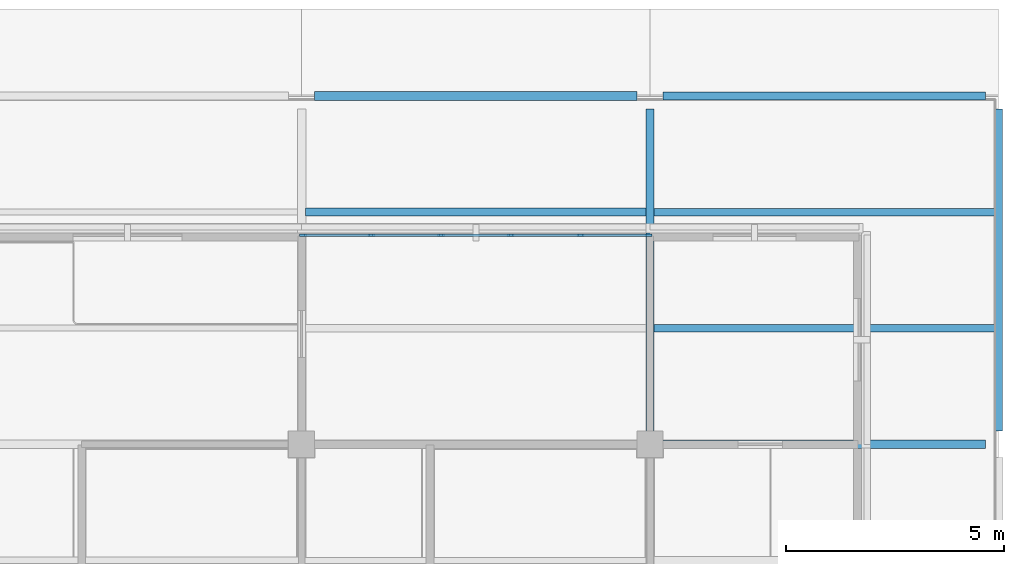
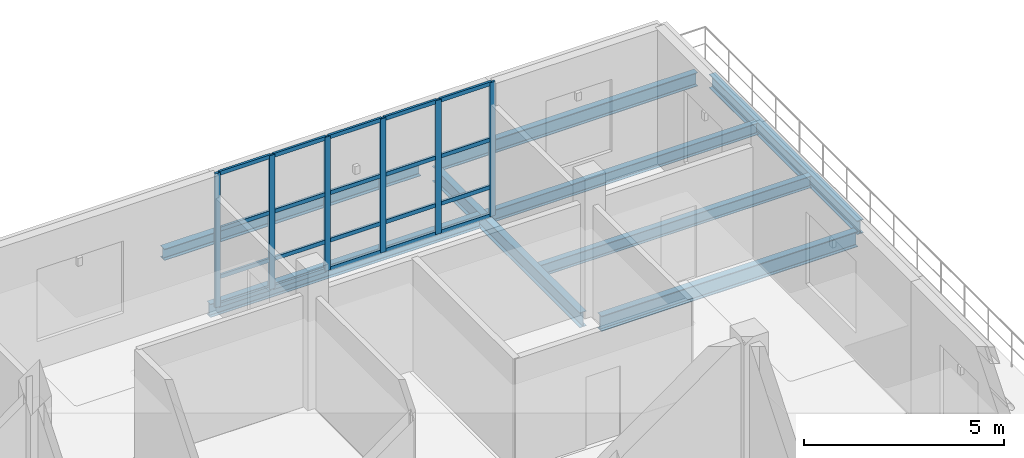
# One storey, part 11 of 24: 26 members, 8 beams, 1 element without a shape of its own.
"""IFC4 building model written with IfcOpenShell, lengths in metres."""

from ifc_helpers import new_model, si_unit, derived_unit, direction, frame, origin, origin_2d, place, context, subcontext, project, spatial, rectangle, i_section, extrude, material, layer, layer_set, material_profile, profile_set, type_object, element, aggregate, save


model = new_model("IFC4")

# Units and contexts
model_context = context("Model", 3, precision=1e-05, world=origin(), true_north=direction((0.0, 1.0)))
body_context = subcontext(model_context, "Body", "Model", "MODEL_VIEW")
ifc_project = project(units=[si_unit("LENGTHUNIT", "METRE"), si_unit("AREAUNIT", "SQUARE_METRE"), si_unit("VOLUMEUNIT", "CUBIC_METRE"), si_unit("PLANEANGLEUNIT", "RADIAN"), si_unit("MASSUNIT", "GRAM", prefix="KILO"), derived_unit("THERMALTRANSMITTANCEUNIT", [(si_unit("MASSUNIT", "GRAM", prefix="KILO"), 1), (si_unit("TIMEUNIT", "SECOND"), -3), (si_unit("THERMODYNAMICTEMPERATUREUNIT", "KELVIN"), -1)])], contexts=[model_context])

# Site, building, storey
site_placement = place(None, origin())
site = spatial("IfcSite", under=ifc_project, at=site_placement, CompositionType="ELEMENT")
building_placement = place(site_placement, origin())
building = spatial("IfcBuilding", under=site, at=building_placement, Name="Veyamyaing Civic Hall", CompositionType="ELEMENT")
storey_placement = place(building_placement, frame((0.0, 0.0, 25.739990234375)))
storey = spatial("IfcBuildingStorey", under=building, at=storey_placement, Name="L06", CompositionType="ELEMENT", Elevation=25.739990234375)

# Beams
ifc_material_1 = material(Name="Steel ASTM A992", Category="steel")
ifc_material_profile_1 = material_profile(ifc_material_1, i_section(OverallWidth=0.18994140625, OverallDepth=0.45703125, WebThickness=0.009033203125, FlangeThickness=0.014404296875, FilletRadius=0.010009765625, at=origin_2d()), Name="W460X74")
ifc_profile_set_1 = profile_set([ifc_material_profile_1], Name="Steel ASTM A992")
beam_type_1 = type_object("IfcBeamType", Name="B-09", PredefinedType="BEAM", material=ifc_profile_set_1)
beam_1_placement = place(storey_placement, frame((168.0, 104.300048828125, -0.45849609375), z_axis=(0.0, 1.0, 0.0), x_axis=(-1.0, 0.0, 0.0)))
element("IfcBeam", 1, at=beam_1_placement, inside=storey, type_object=beam_type_1, Name="Girder B-09 L06 Grid 22 P-Q", PredefinedType="BEAM", context=body_context, shape_type="SweptSolid", body=[
    extrude(i_section(OverallWidth=0.18994140625, OverallDepth=0.45703125, WebThickness=0.009033203125, FlangeThickness=0.014404296875, FilletRadius=0.010009765625, at=origin_2d()), origin(), (0.0, 0.0, 1.0), 7.39990234375),
])
ifc_material_profile_2 = material_profile(ifc_material_1, i_section(OverallWidth=0.2041015625, OverallDepth=0.35009765625, WebThickness=0.0078125, FlangeThickness=0.01513671875, FilletRadius=0.010009765625, at=origin_2d()), Name="W360X72")
ifc_profile_set_2 = profile_set([ifc_material_profile_2], Name="Steel ASTM A992")
beam_type_2 = type_object("IfcBeamType", Name="B-11", PredefinedType="SPANDREL", material=ifc_profile_set_2)
beam_2_placement = place(storey_placement, frame((160.300048828125, 112.0, -0.405029296875), z_axis=(1.0, 0.0, 0.0), x_axis=(0.0, 1.0, 0.0)))
element("IfcBeam", 2, at=beam_2_placement, inside=storey, type_object=beam_type_2, Name="Girder B-11 L06 Grid Q 21-22", PredefinedType="SPANDREL", context=body_context, shape_type="SweptSolid", body=[
    extrude(i_section(OverallWidth=0.2041015625, OverallDepth=0.35009765625, WebThickness=0.0078125, FlangeThickness=0.01513671875, FilletRadius=0.010009765625, at=origin_2d()), origin(), (0.0, 0.0, 1.0), 7.39990234375),
])
ifc_material_profile_3 = material_profile(ifc_material_1, i_section(OverallWidth=0.194091796875, OverallDepth=0.468994140625, WebThickness=0.0126953125, FlangeThickness=0.0205078125, FilletRadius=0.010009765625, at=origin_2d()), Name="W460X106")
ifc_profile_set_3 = profile_set([ifc_material_profile_3], Name="Steel ASTM A992")
beam_type_3 = type_object("IfcBeamType", Name="B-18", PredefinedType="BEAM", material=ifc_profile_set_3)
beam_3_placement = place(storey_placement, frame((168.300048828125, 104.0, -0.464599609375), z_axis=(1.0, 0.0, 0.0), x_axis=(0.0, 1.0, 0.0)))
element("IfcBeam", 3, at=beam_3_placement, inside=storey, type_object=beam_type_3, Name="Girder B-18 L06 Grid P 22-23", PredefinedType="BEAM", context=body_context, shape_type="SweptSolid", body=[
    extrude(i_section(OverallWidth=0.194091796875, OverallDepth=0.468994140625, WebThickness=0.0126953125, FlangeThickness=0.0205078125, FilletRadius=0.010009765625, at=origin_2d()), origin(), (0.0, 0.0, 1.0), 7.39990234375),
])
ifc_material_profile_4 = material_profile(ifc_material_1, i_section(OverallWidth=0.180908203125, OverallDepth=0.4169921875, WebThickness=0.010986328125, FlangeThickness=0.018310546875, FilletRadius=0.010009765625, at=origin_2d()), Name="W410X85")
ifc_profile_set_4 = profile_set([ifc_material_profile_4], Name="Steel ASTM A992")
beam_type_4 = type_object("IfcBeamType", Name="B-19", PredefinedType="SPANDREL", material=ifc_profile_set_4)
for number, where, z_axis, x_axis, name in (
    (4, (168.300048828125, 112.0, -0.4384765625), (1.0, 0.0, 0.0), (0.0, 1.0, 0.0), "Girder B-19 L06 Grid Q 22-23"),
    (5, (176.0, 104.300048828125, -0.4384765625), (0.0, 1.0, 0.0), (-1.0, 0.0, 0.0), "Girder B-19 L06 Grid 23 P-Q"),
):
    element("IfcBeam", number, at=place(storey_placement, frame(where, z_axis=z_axis, x_axis=x_axis)), inside=storey, type_object=beam_type_4, Name=name, PredefinedType="SPANDREL", context=body_context, shape_type="SweptSolid", body=[
        extrude(i_section(OverallWidth=0.180908203125, OverallDepth=0.4169921875, WebThickness=0.010986328125, FlangeThickness=0.018310546875, FilletRadius=0.010009765625, at=origin_2d()), origin(), (0.0, 0.0, 1.0), 7.39990234375),
    ])

# Curtain wall, members
ifc_material_2 = material(Name="Anodised aluminium 6063-T6", Category="aluminium")
ifc_layer = layer(ifc_material_2, 0.159912109375, Name="Anodised aluminium 6063-T6")
ifc_layer_set = layer_set([ifc_layer], Name="Anodised aluminium 6063-T6")
curtain_wall_type = type_object("IfcCurtainWallType", Name="CW-05", PredefinedType="NOTDEFINED", material=ifc_layer_set)
curtain_wall_placement = place(storey_placement, origin())
curtain_wall = element("IfcCurtainWall", 6, at=curtain_wall_placement, inside=storey, type_object=curtain_wall_type, Name="Executive terrace curtain wall CW-05 L06-NE-N-4", PredefinedType="NOTDEFINED")
ifc_material_profile_5 = material_profile(ifc_material_2, rectangle(XDim=0.06494140625, YDim=0.159912109375, at=origin_2d()), Name="ALU-MUL-65X160")
ifc_profile_set_5 = profile_set([ifc_material_profile_5], Name="Anodised aluminium 6063-T6")
member_type_1 = type_object("IfcMemberType", Name="CWM-01", PredefinedType="MULLION", material=ifc_profile_set_5)
member_1_placement = place(storey_placement, frame((160.032470703125, 108.800048828125, 0.0), z_axis=(0.0, 0.0, 1.0), x_axis=(0.0, 1.0, 0.0)))
member_1 = element("IfcMember", 7, at=member_1_placement, type_object=member_type_1, Name="CW-05 mullion 1", PredefinedType="MULLION", context=body_context, shape_type="SweptSolid", body=[
    extrude(rectangle(XDim=0.06494140625, YDim=0.159912109375, at=origin_2d()), origin(), (0.0, 0.0, 1.0), 4.090087890625),
])
member_2_placement = place(storey_placement, frame((161.60009765625, 108.800048828125, 0.0), z_axis=(0.0, 0.0, 1.0), x_axis=(0.0, 1.0, 0.0)))
member_2 = element("IfcMember", 8, at=member_2_placement, type_object=member_type_1, Name="CW-05 mullion 2", PredefinedType="MULLION", context=body_context, shape_type="SweptSolid", body=[
    extrude(rectangle(XDim=0.06494140625, YDim=0.159912109375, at=origin_2d()), origin(), (0.0, 0.0, 1.0), 4.090087890625),
])
member_3_placement = place(storey_placement, frame((163.199951171875, 108.800048828125, 0.0), z_axis=(0.0, 0.0, 1.0), x_axis=(0.0, 1.0, 0.0)))
member_3 = element("IfcMember", 9, at=member_3_placement, type_object=member_type_1, Name="CW-05 mullion 3", PredefinedType="MULLION", context=body_context, shape_type="SweptSolid", body=[
    extrude(rectangle(XDim=0.06494140625, YDim=0.159912109375, at=origin_2d()), origin(), (0.0, 0.0, 1.0), 4.090087890625),
])
member_4_placement = place(storey_placement, frame((164.800048828125, 108.800048828125, 0.0), z_axis=(0.0, 0.0, 1.0), x_axis=(0.0, 1.0, 0.0)))
member_4 = element("IfcMember", 10, at=member_4_placement, type_object=member_type_1, Name="CW-05 mullion 4", PredefinedType="MULLION", context=body_context, shape_type="SweptSolid", body=[
    extrude(rectangle(XDim=0.06494140625, YDim=0.159912109375, at=origin_2d()), origin(), (0.0, 0.0, 1.0), 4.090087890625),
])
member_5_placement = place(storey_placement, frame((166.39990234375, 108.800048828125, 0.0), z_axis=(0.0, 0.0, 1.0), x_axis=(0.0, 1.0, 0.0)))
member_5 = element("IfcMember", 11, at=member_5_placement, type_object=member_type_1, Name="CW-05 mullion 5", PredefinedType="MULLION", context=body_context, shape_type="SweptSolid", body=[
    extrude(rectangle(XDim=0.06494140625, YDim=0.159912109375, at=origin_2d()), origin(), (0.0, 0.0, 1.0), 4.090087890625),
])
member_6_placement = place(storey_placement, frame((167.967529296875, 108.800048828125, 0.0), z_axis=(0.0, 0.0, 1.0), x_axis=(0.0, 1.0, 0.0)))
member_6 = element("IfcMember", 12, at=member_6_placement, type_object=member_type_1, Name="CW-05 mullion 6", PredefinedType="MULLION", context=body_context, shape_type="SweptSolid", body=[
    extrude(rectangle(XDim=0.06494140625, YDim=0.159912109375, at=origin_2d()), origin(), (0.0, 0.0, 1.0), 4.090087890625),
])
ifc_material_profile_6 = material_profile(ifc_material_2, rectangle(XDim=0.06494140625, YDim=0.1201171875, at=origin_2d()), Name="ALU-TRN-65X120")
ifc_profile_set_6 = profile_set([ifc_material_profile_6], Name="Anodised aluminium 6063-T6")
member_type_2 = type_object("IfcMemberType", Name="CWT-01", PredefinedType="USERDEFINED", material=ifc_profile_set_6)
member_7_placement = place(storey_placement, frame((160.06494140625, 108.800048828125, 0.032470703125), z_axis=(1.0, 0.0, 0.0), x_axis=(0.0, 1.0, 0.0)))
member_7 = element("IfcMember", 13, at=member_7_placement, type_object=member_type_2, Name="CW-05 transom 1.1", ObjectType="TRANSOM", PredefinedType="USERDEFINED", context=body_context, shape_type="SweptSolid", body=[
    extrude(rectangle(XDim=0.06494140625, YDim=0.1201171875, at=origin_2d()), origin(), (0.0, 0.0, 1.0), 1.50244140625),
])
member_8_placement = place(storey_placement, frame((160.06494140625, 108.800048828125, 0.89990234375), z_axis=(1.0, 0.0, 0.0), x_axis=(0.0, 1.0, 0.0)))
member_8 = element("IfcMember", 14, at=member_8_placement, type_object=member_type_2, Name="CW-05 transom 1.2", ObjectType="TRANSOM", PredefinedType="USERDEFINED", context=body_context, shape_type="SweptSolid", body=[
    extrude(rectangle(XDim=0.06494140625, YDim=0.1201171875, at=origin_2d()), origin(), (0.0, 0.0, 1.0), 1.50244140625),
])
member_9_placement = place(storey_placement, frame((160.06494140625, 108.800048828125, 2.35009765625), z_axis=(1.0, 0.0, 0.0), x_axis=(0.0, 1.0, 0.0)))
member_9 = element("IfcMember", 15, at=member_9_placement, type_object=member_type_2, Name="CW-05 transom 1.3", ObjectType="TRANSOM", PredefinedType="USERDEFINED", context=body_context, shape_type="SweptSolid", body=[
    extrude(rectangle(XDim=0.06494140625, YDim=0.1201171875, at=origin_2d()), origin(), (0.0, 0.0, 1.0), 1.50244140625),
])
member_10_placement = place(storey_placement, frame((160.06494140625, 108.800048828125, 4.0576171875), z_axis=(1.0, 0.0, 0.0), x_axis=(0.0, 1.0, 0.0)))
member_10 = element("IfcMember", 16, at=member_10_placement, type_object=member_type_2, Name="CW-05 transom 1.4", ObjectType="TRANSOM", PredefinedType="USERDEFINED", context=body_context, shape_type="SweptSolid", body=[
    extrude(rectangle(XDim=0.06494140625, YDim=0.1201171875, at=origin_2d()), origin(), (0.0, 0.0, 1.0), 1.50244140625),
])
member_11_placement = place(storey_placement, frame((161.632568359375, 108.800048828125, 0.032470703125), z_axis=(1.0, 0.0, 0.0), x_axis=(0.0, 1.0, 0.0)))
member_11 = element("IfcMember", 17, at=member_11_placement, type_object=member_type_2, Name="CW-05 transom 2.1", ObjectType="TRANSOM", PredefinedType="USERDEFINED", context=body_context, shape_type="SweptSolid", body=[
    extrude(rectangle(XDim=0.06494140625, YDim=0.1201171875, at=origin_2d()), origin(), (0.0, 0.0, 1.0), 1.534912109375),
])
member_12_placement = place(storey_placement, frame((161.632568359375, 108.800048828125, 0.89990234375), z_axis=(1.0, 0.0, 0.0), x_axis=(0.0, 1.0, 0.0)))
member_12 = element("IfcMember", 18, at=member_12_placement, type_object=member_type_2, Name="CW-05 transom 2.2", ObjectType="TRANSOM", PredefinedType="USERDEFINED", context=body_context, shape_type="SweptSolid", body=[
    extrude(rectangle(XDim=0.06494140625, YDim=0.1201171875, at=origin_2d()), origin(), (0.0, 0.0, 1.0), 1.534912109375),
])
member_13_placement = place(storey_placement, frame((161.632568359375, 108.800048828125, 2.35009765625), z_axis=(1.0, 0.0, 0.0), x_axis=(0.0, 1.0, 0.0)))
member_13 = element("IfcMember", 19, at=member_13_placement, type_object=member_type_2, Name="CW-05 transom 2.3", ObjectType="TRANSOM", PredefinedType="USERDEFINED", context=body_context, shape_type="SweptSolid", body=[
    extrude(rectangle(XDim=0.06494140625, YDim=0.1201171875, at=origin_2d()), origin(), (0.0, 0.0, 1.0), 1.534912109375),
])
member_14_placement = place(storey_placement, frame((161.632568359375, 108.800048828125, 4.0576171875), z_axis=(1.0, 0.0, 0.0), x_axis=(0.0, 1.0, 0.0)))
member_14 = element("IfcMember", 20, at=member_14_placement, type_object=member_type_2, Name="CW-05 transom 2.4", ObjectType="TRANSOM", PredefinedType="USERDEFINED", context=body_context, shape_type="SweptSolid", body=[
    extrude(rectangle(XDim=0.06494140625, YDim=0.1201171875, at=origin_2d()), origin(), (0.0, 0.0, 1.0), 1.534912109375),
])
member_15_placement = place(storey_placement, frame((163.232421875, 108.800048828125, 0.032470703125), z_axis=(1.0, 0.0, 0.0), x_axis=(0.0, 1.0, 0.0)))
member_15 = element("IfcMember", 21, at=member_15_placement, type_object=member_type_2, Name="CW-05 transom 3.1", ObjectType="TRANSOM", PredefinedType="USERDEFINED", context=body_context, shape_type="SweptSolid", body=[
    extrude(rectangle(XDim=0.06494140625, YDim=0.1201171875, at=origin_2d()), origin(), (0.0, 0.0, 1.0), 1.53515625),
])
member_16_placement = place(storey_placement, frame((163.232421875, 108.800048828125, 0.89990234375), z_axis=(1.0, 0.0, 0.0), x_axis=(0.0, 1.0, 0.0)))
member_16 = element("IfcMember", 22, at=member_16_placement, type_object=member_type_2, Name="CW-05 transom 3.2", ObjectType="TRANSOM", PredefinedType="USERDEFINED", context=body_context, shape_type="SweptSolid", body=[
    extrude(rectangle(XDim=0.06494140625, YDim=0.1201171875, at=origin_2d()), origin(), (0.0, 0.0, 1.0), 1.53515625),
])
member_17_placement = place(storey_placement, frame((163.232421875, 108.800048828125, 2.35009765625), z_axis=(1.0, 0.0, 0.0), x_axis=(0.0, 1.0, 0.0)))
member_17 = element("IfcMember", 23, at=member_17_placement, type_object=member_type_2, Name="CW-05 transom 3.3", ObjectType="TRANSOM", PredefinedType="USERDEFINED", context=body_context, shape_type="SweptSolid", body=[
    extrude(rectangle(XDim=0.06494140625, YDim=0.1201171875, at=origin_2d()), origin(), (0.0, 0.0, 1.0), 1.53515625),
])
member_18_placement = place(storey_placement, frame((163.232421875, 108.800048828125, 4.0576171875), z_axis=(1.0, 0.0, 0.0), x_axis=(0.0, 1.0, 0.0)))
member_18 = element("IfcMember", 24, at=member_18_placement, type_object=member_type_2, Name="CW-05 transom 3.4", ObjectType="TRANSOM", PredefinedType="USERDEFINED", context=body_context, shape_type="SweptSolid", body=[
    extrude(rectangle(XDim=0.06494140625, YDim=0.1201171875, at=origin_2d()), origin(), (0.0, 0.0, 1.0), 1.53515625),
])
member_19_placement = place(storey_placement, frame((164.83251953125, 108.800048828125, 0.032470703125), z_axis=(1.0, 0.0, 0.0), x_axis=(0.0, 1.0, 0.0)))
member_19 = element("IfcMember", 25, at=member_19_placement, type_object=member_type_2, Name="CW-05 transom 4.1", ObjectType="TRANSOM", PredefinedType="USERDEFINED", context=body_context, shape_type="SweptSolid", body=[
    extrude(rectangle(XDim=0.06494140625, YDim=0.1201171875, at=origin_2d()), origin(), (0.0, 0.0, 1.0), 1.534912109375),
])
member_20_placement = place(storey_placement, frame((164.83251953125, 108.800048828125, 0.89990234375), z_axis=(1.0, 0.0, 0.0), x_axis=(0.0, 1.0, 0.0)))
member_20 = element("IfcMember", 26, at=member_20_placement, type_object=member_type_2, Name="CW-05 transom 4.2", ObjectType="TRANSOM", PredefinedType="USERDEFINED", context=body_context, shape_type="SweptSolid", body=[
    extrude(rectangle(XDim=0.06494140625, YDim=0.1201171875, at=origin_2d()), origin(), (0.0, 0.0, 1.0), 1.534912109375),
])
member_21_placement = place(storey_placement, frame((164.83251953125, 108.800048828125, 2.35009765625), z_axis=(1.0, 0.0, 0.0), x_axis=(0.0, 1.0, 0.0)))
member_21 = element("IfcMember", 27, at=member_21_placement, type_object=member_type_2, Name="CW-05 transom 4.3", ObjectType="TRANSOM", PredefinedType="USERDEFINED", context=body_context, shape_type="SweptSolid", body=[
    extrude(rectangle(XDim=0.06494140625, YDim=0.1201171875, at=origin_2d()), origin(), (0.0, 0.0, 1.0), 1.534912109375),
])
member_22_placement = place(storey_placement, frame((164.83251953125, 108.800048828125, 4.0576171875), z_axis=(1.0, 0.0, 0.0), x_axis=(0.0, 1.0, 0.0)))
member_22 = element("IfcMember", 28, at=member_22_placement, type_object=member_type_2, Name="CW-05 transom 4.4", ObjectType="TRANSOM", PredefinedType="USERDEFINED", context=body_context, shape_type="SweptSolid", body=[
    extrude(rectangle(XDim=0.06494140625, YDim=0.1201171875, at=origin_2d()), origin(), (0.0, 0.0, 1.0), 1.534912109375),
])
member_23_placement = place(storey_placement, frame((166.4326171875, 108.800048828125, 0.032470703125), z_axis=(1.0, 0.0, 0.0), x_axis=(0.0, 1.0, 0.0)))
member_23 = element("IfcMember", 29, at=member_23_placement, type_object=member_type_2, Name="CW-05 transom 5.1", ObjectType="TRANSOM", PredefinedType="USERDEFINED", context=body_context, shape_type="SweptSolid", body=[
    extrude(rectangle(XDim=0.06494140625, YDim=0.1201171875, at=origin_2d()), origin(), (0.0, 0.0, 1.0), 1.50244140625),
])
member_24_placement = place(storey_placement, frame((166.4326171875, 108.800048828125, 0.89990234375), z_axis=(1.0, 0.0, 0.0), x_axis=(0.0, 1.0, 0.0)))
member_24 = element("IfcMember", 30, at=member_24_placement, type_object=member_type_2, Name="CW-05 transom 5.2", ObjectType="TRANSOM", PredefinedType="USERDEFINED", context=body_context, shape_type="SweptSolid", body=[
    extrude(rectangle(XDim=0.06494140625, YDim=0.1201171875, at=origin_2d()), origin(), (0.0, 0.0, 1.0), 1.50244140625),
])
member_25_placement = place(storey_placement, frame((166.4326171875, 108.800048828125, 2.35009765625), z_axis=(1.0, 0.0, 0.0), x_axis=(0.0, 1.0, 0.0)))
member_25 = element("IfcMember", 31, at=member_25_placement, type_object=member_type_2, Name="CW-05 transom 5.3", ObjectType="TRANSOM", PredefinedType="USERDEFINED", context=body_context, shape_type="SweptSolid", body=[
    extrude(rectangle(XDim=0.06494140625, YDim=0.1201171875, at=origin_2d()), origin(), (0.0, 0.0, 1.0), 1.50244140625),
])
member_26_placement = place(storey_placement, frame((166.4326171875, 108.800048828125, 4.0576171875), z_axis=(1.0, 0.0, 0.0), x_axis=(0.0, 1.0, 0.0)))
member_26 = element("IfcMember", 32, at=member_26_placement, type_object=member_type_2, Name="CW-05 transom 5.4", ObjectType="TRANSOM", PredefinedType="USERDEFINED", context=body_context, shape_type="SweptSolid", body=[
    extrude(rectangle(XDim=0.06494140625, YDim=0.1201171875, at=origin_2d()), origin(), (0.0, 0.0, 1.0), 1.50244140625),
])
aggregate(curtain_wall, [member_1, member_2, member_3, member_4, member_5, member_6, member_7, member_8, member_9, member_10, member_11, member_12, member_13, member_14, member_15, member_16, member_17, member_18, member_19, member_20, member_21, member_22, member_23, member_24, member_25, member_26])

# Beams
ifc_material_profile_7 = material_profile(ifc_material_1, i_section(OverallWidth=0.177978515625, OverallDepth=0.406982421875, WebThickness=0.0078125, FlangeThickness=0.0126953125, FilletRadius=0.010009765625, at=origin_2d()), Name="W410X60")
ifc_profile_set_7 = profile_set([ifc_material_profile_7], Name="Steel ASTM A992")
beam_type_5 = type_object("IfcBeamType", Name="J-01", PredefinedType="JOIST", material=ifc_profile_set_7)
beam_4_placement = place(storey_placement, frame((160.093994140625, 109.333251953125, -0.43359375), z_axis=(1.0, 0.0, 0.0), x_axis=(0.0, 1.0, 0.0)))
element("IfcBeam", 33, at=beam_4_placement, inside=storey, type_object=beam_type_5, Name="Composite floor joist J-01 L06 21.14.2", PredefinedType="JOIST", context=body_context, shape_type="SweptSolid", body=[
    extrude(i_section(OverallWidth=0.177978515625, OverallDepth=0.406982421875, WebThickness=0.0078125, FlangeThickness=0.0126953125, FilletRadius=0.010009765625, at=origin_2d()), origin(), (0.0, 0.0, 1.0), 7.81298828125),
])
ifc_material_profile_8 = material_profile(ifc_material_1, i_section(OverallWidth=0.172119140625, OverallDepth=0.35791015625, WebThickness=0.0078125, FlangeThickness=0.01318359375, FilletRadius=0.010009765625, at=origin_2d()), Name="W360X57")
ifc_profile_set_8 = profile_set([ifc_material_profile_8], Name="Steel ASTM A992")
beam_type_6 = type_object("IfcBeamType", Name="J-02", PredefinedType="JOIST", material=ifc_profile_set_8)
for number, where, z_axis, x_axis, name in (
    (34, (168.093017578125, 106.666748046875, -0.408935546875), (1.0, 0.0, 0.0), (0.0, 1.0, 0.0), "Composite floor joist J-02 L06 22.14.1"),
    (35, (168.093017578125, 109.333251953125, -0.408935546875), (1.0, 0.0, 0.0), (0.0, 1.0, 0.0), "Composite floor joist J-02 L06 22.14.2"),
):
    element("IfcBeam", number, at=place(storey_placement, frame(where, z_axis=z_axis, x_axis=x_axis)), inside=storey, type_object=beam_type_6, Name=name, PredefinedType="JOIST", context=body_context, shape_type="SweptSolid", body=[
        extrude(i_section(OverallWidth=0.172119140625, OverallDepth=0.35791015625, WebThickness=0.0078125, FlangeThickness=0.01318359375, FilletRadius=0.010009765625, at=origin_2d()), origin(), (0.0, 0.0, 1.0), 7.818603515625),
    ])

save(model, "model.ifc")
